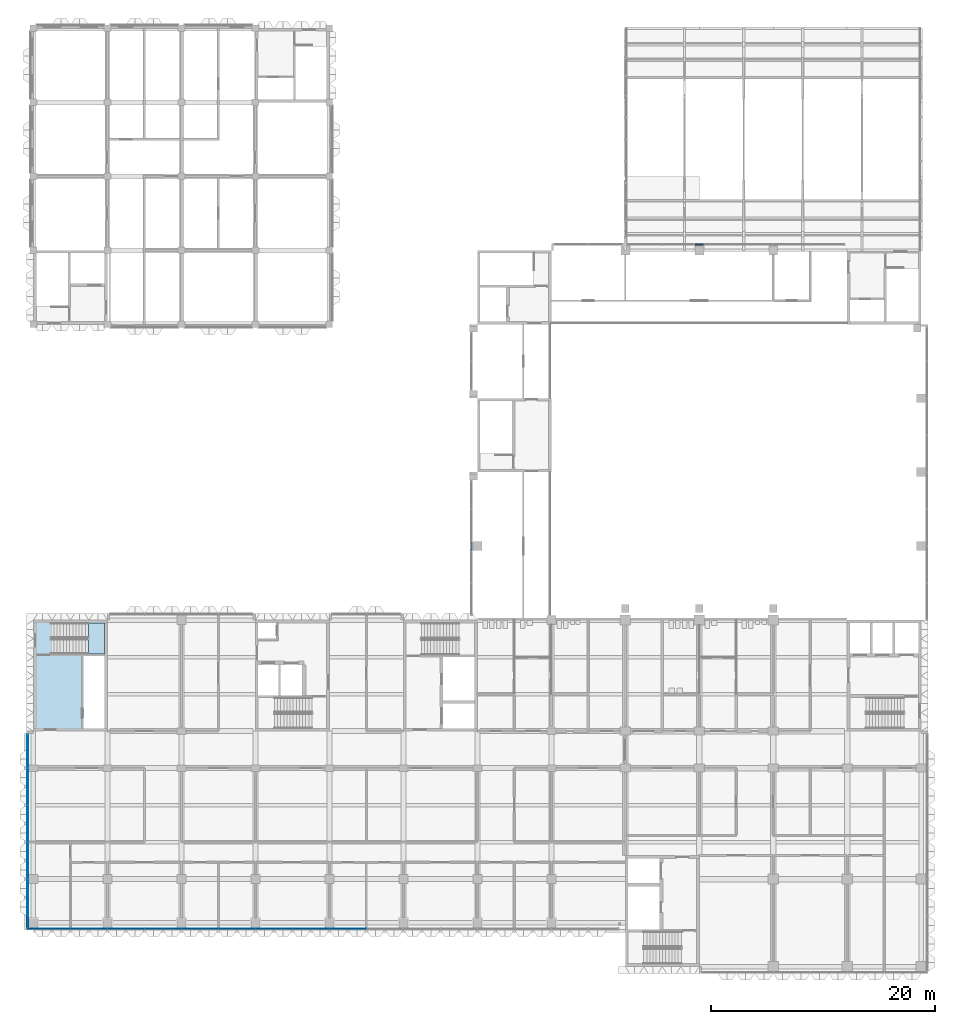
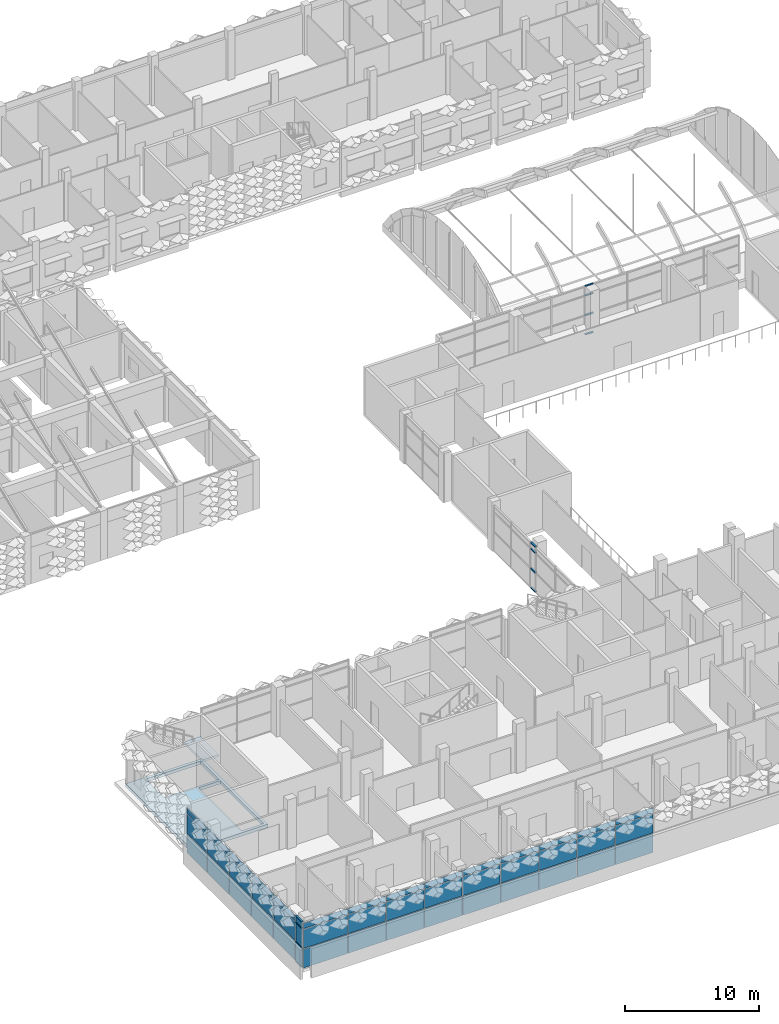
# One storey, part 33 of 102: 45 plates, 12 members, 2 slabs, 5 elements without a shape of their own.
"""IFC4 building model written with IfcOpenShell, lengths in metres."""

from ifc_helpers import new_model, si_unit, direction, frame, origin, origin_2d, place, context, subcontext, project, spatial, polyline, rectangle, outline, extrude, material, layer, layer_set, material_profile, profile_set, type_object, element, aggregate, save


model = new_model("IFC4")

# Units and contexts
model_context = context("Model", 3, precision=1e-05, world=origin(), true_north=direction((0.0, 1.0)))
body_context = subcontext(model_context, "Body", "Model", "MODEL_VIEW")
ifc_project = project(units=[si_unit("LENGTHUNIT", "METRE"), si_unit("AREAUNIT", "SQUARE_METRE"), si_unit("VOLUMEUNIT", "CUBIC_METRE"), si_unit("PLANEANGLEUNIT", "RADIAN"), si_unit("MASSUNIT", "GRAM", prefix="KILO")], contexts=[model_context])

# Site, building, storey
site_placement = place(None, origin())
site = spatial("IfcSite", under=ifc_project, at=site_placement, CompositionType="ELEMENT")
building_placement = place(site_placement, origin())
building = spatial("IfcBuilding", under=site, at=building_placement, Name="Lantern Court Research Institute", CompositionType="ELEMENT")
storey_placement = place(building_placement, frame((0.0, 0.0, 9.89990234375)))
storey = spatial("IfcBuildingStorey", under=building, at=storey_placement, Name="L02", CompositionType="ELEMENT", Elevation=9.89990234375)

# Curtain wall, members
ifc_material_1 = material(Name="Aluminium alloy 6063-T6", Category="aluminium")
curtain_wall_type_1 = type_object("IfcCurtainWallType", Name="Curtain wall 19450 x 4500 x 150 aluminium frame", PredefinedType="NOTDEFINED", material=ifc_material_1)
curtain_wall_1_placement = place(storey_placement, origin())
curtain_wall_1 = element("IfcCurtainWall", 1, at=curtain_wall_1_placement, inside=storey, type_object=curtain_wall_type_1, Name="Curtain wall CW036", PredefinedType="NOTDEFINED")
ifc_material_2 = material(Name="Aluminium alloy 6063-T6", Category="aluminium")
ifc_material_profile_1 = material_profile(ifc_material_2, rectangle(XDim=0.14990234375, YDim=0.10009765625, at=origin_2d()), Name="Transom 150 x 100")
ifc_profile_set_1 = profile_set([ifc_material_profile_1], Name="Aluminium alloy 6063-T6")
member_type_1 = type_object("IfcMemberType", Name="Transom 150 x 100 aluminium", PredefinedType="USERDEFINED", material=ifc_profile_set_1)
member_1_placement = place(storey_placement, frame((59.050048828125, 56.625, 0.050048828125), z_axis=(1.0, 0.0, 0.0), x_axis=(0.0, 1.0, 0.0)))
member_1 = element("IfcMember", 2, at=member_1_placement, type_object=member_type_1, Name="CW036 transom 3.1", ObjectType="TRANSOM", PredefinedType="USERDEFINED", context=body_context, shape_type="SweptSolid", body=[
    extrude(rectangle(XDim=0.14990234375, YDim=0.10009765625, at=origin_2d()), origin(), (0.0, 0.0, 1.0), 0.699951171875),
])
member_2_placement = place(storey_placement, frame((59.050048828125, 56.625, 1.800048828125), z_axis=(1.0, 0.0, 0.0), x_axis=(0.0, 1.0, 0.0)))
member_2 = element("IfcMember", 3, at=member_2_placement, type_object=member_type_1, Name="CW036 transom 3.2", ObjectType="TRANSOM", PredefinedType="USERDEFINED", context=body_context, shape_type="SweptSolid", body=[
    extrude(rectangle(XDim=0.14990234375, YDim=0.10009765625, at=origin_2d()), origin(), (0.0, 0.0, 1.0), 0.699951171875),
])
member_3_placement = place(storey_placement, frame((59.050048828125, 56.625, 3.60009765625), z_axis=(1.0, 0.0, 0.0), x_axis=(0.0, 1.0, 0.0)))
member_3 = element("IfcMember", 4, at=member_3_placement, type_object=member_type_1, Name="CW036 transom 3.3", ObjectType="TRANSOM", PredefinedType="USERDEFINED", context=body_context, shape_type="SweptSolid", body=[
    extrude(rectangle(XDim=0.14990234375, YDim=0.10009765625, at=origin_2d()), origin(), (0.0, 0.0, 1.0), 0.699951171875),
])
member_4_placement = place(storey_placement, frame((59.050048828125, 56.625, 4.4501953125), z_axis=(1.0, 0.0, 0.0), x_axis=(0.0, 1.0, 0.0)))
member_4 = element("IfcMember", 5, at=member_4_placement, type_object=member_type_1, Name="CW036 transom 3.4", ObjectType="TRANSOM", PredefinedType="USERDEFINED", context=body_context, shape_type="SweptSolid", body=[
    extrude(rectangle(XDim=0.14990234375, YDim=0.10009765625, at=origin_2d()), origin(), (0.0, 0.0, 1.0), 0.699951171875),
])
aggregate(curtain_wall_1, [member_1, member_2, member_3, member_4])

ifc_material_3 = material(Name="Aluminium alloy 6063-T6", Category="aluminium")
curtain_wall_type_2 = type_object("IfcCurtainWallType", Name="Curtain wall 12050 x 4200 x 150 aluminium frame", PredefinedType="NOTDEFINED", material=ifc_material_3)
curtain_wall_2_placement = place(storey_placement, origin())
curtain_wall_2 = element("IfcCurtainWall", 6, at=curtain_wall_2_placement, inside=storey, type_object=curtain_wall_type_2, Name="Curtain wall CW037", PredefinedType="NOTDEFINED")
member_5_placement = place(storey_placement, frame((39.074951171875, 29.35009765625, 0.050048828125), z_axis=(0.0, 1.0, 0.0), x_axis=(-1.0, 0.0, 0.0)))
member_5 = element("IfcMember", 7, at=member_5_placement, type_object=member_type_1, Name="CW037 transom 3.1", ObjectType="TRANSOM", PredefinedType="USERDEFINED", context=body_context, shape_type="SweptSolid", body=[
    extrude(rectangle(XDim=0.14990234375, YDim=0.10009765625, at=origin_2d()), origin(), (0.0, 0.0, 1.0), 0.699951171875),
])
member_6_placement = place(storey_placement, frame((39.074951171875, 29.35009765625, 1.800048828125), z_axis=(0.0, 1.0, 0.0), x_axis=(-1.0, 0.0, 0.0)))
member_6 = element("IfcMember", 8, at=member_6_placement, type_object=member_type_1, Name="CW037 transom 3.2", ObjectType="TRANSOM", PredefinedType="USERDEFINED", context=body_context, shape_type="SweptSolid", body=[
    extrude(rectangle(XDim=0.14990234375, YDim=0.10009765625, at=origin_2d()), origin(), (0.0, 0.0, 1.0), 0.699951171875),
])
member_7_placement = place(storey_placement, frame((39.074951171875, 29.35009765625, 3.60009765625), z_axis=(0.0, 1.0, 0.0), x_axis=(-1.0, 0.0, 0.0)))
member_7 = element("IfcMember", 9, at=member_7_placement, type_object=member_type_1, Name="CW037 transom 3.3", ObjectType="TRANSOM", PredefinedType="USERDEFINED", context=body_context, shape_type="SweptSolid", body=[
    extrude(rectangle(XDim=0.14990234375, YDim=0.10009765625, at=origin_2d()), origin(), (0.0, 0.0, 1.0), 0.699951171875),
])
member_8_placement = place(storey_placement, frame((39.074951171875, 29.35009765625, 4.150146484375), z_axis=(0.0, 1.0, 0.0), x_axis=(-1.0, 0.0, 0.0)))
member_8 = element("IfcMember", 10, at=member_8_placement, type_object=member_type_1, Name="CW037 transom 3.4", ObjectType="TRANSOM", PredefinedType="USERDEFINED", context=body_context, shape_type="SweptSolid", body=[
    extrude(rectangle(XDim=0.14990234375, YDim=0.10009765625, at=origin_2d()), origin(), (0.0, 0.0, 1.0), 0.699951171875),
])
aggregate(curtain_wall_2, [member_5, member_6, member_7, member_8])

ifc_material_4 = material(Name="Aluminium alloy 6063-T6", Category="aluminium")
curtain_wall_type_3 = type_object("IfcCurtainWallType", Name="Curtain wall 17350 x 4200 x 150 aluminium frame", PredefinedType="NOTDEFINED", material=ifc_material_4)
curtain_wall_3_placement = place(storey_placement, origin())
curtain_wall_3 = element("IfcCurtainWall", 11, at=curtain_wall_3_placement, inside=storey, type_object=curtain_wall_type_3, Name="Curtain wall CW042", PredefinedType="NOTDEFINED")
ifc_material_5 = material(Name="Aluminium alloy 6063-T6", Category="aluminium")
ifc_material_profile_2 = material_profile(ifc_material_5, rectangle(XDim=0.14990234375, YDim=0.06005859375, at=origin_2d()), Name="Transom 150 x 60")
ifc_profile_set_2 = profile_set([ifc_material_profile_2], Name="Aluminium alloy 6063-T6")
member_type_2 = type_object("IfcMemberType", Name="Transom 150 x 60 aluminium", PredefinedType="USERDEFINED", material=ifc_profile_set_2)
member_9_placement = place(storey_placement, frame((-0.52490234375, -4.2900390625, 0.030029296875), z_axis=(0.0, 1.0, 0.0), x_axis=(-1.0, 0.0, 0.0)))
member_9 = element("IfcMember", 12, at=member_9_placement, type_object=member_type_2, Name="CW042 transom 1.1", ObjectType="TRANSOM", PredefinedType="USERDEFINED", context=body_context, shape_type="SweptSolid", body=[
    extrude(rectangle(XDim=0.14990234375, YDim=0.06005859375, at=origin_2d()), origin(), (0.0, 0.0, 1.0), 0.9599609375),
])
member_10_placement = place(storey_placement, frame((-0.52490234375, -4.2900390625, 1.800048828125), z_axis=(0.0, 1.0, 0.0), x_axis=(-1.0, 0.0, 0.0)))
member_10 = element("IfcMember", 13, at=member_10_placement, type_object=member_type_2, Name="CW042 transom 1.2", ObjectType="TRANSOM", PredefinedType="USERDEFINED", context=body_context, shape_type="SweptSolid", body=[
    extrude(rectangle(XDim=0.14990234375, YDim=0.06005859375, at=origin_2d()), origin(), (0.0, 0.0, 1.0), 0.9599609375),
])
member_11_placement = place(storey_placement, frame((-0.52490234375, -4.2900390625, 3.60009765625), z_axis=(0.0, 1.0, 0.0), x_axis=(-1.0, 0.0, 0.0)))
member_11 = element("IfcMember", 14, at=member_11_placement, type_object=member_type_2, Name="CW042 transom 1.3", ObjectType="TRANSOM", PredefinedType="USERDEFINED", context=body_context, shape_type="SweptSolid", body=[
    extrude(rectangle(XDim=0.14990234375, YDim=0.06005859375, at=origin_2d()), origin(), (0.0, 0.0, 1.0), 0.9599609375),
])
member_12_placement = place(storey_placement, frame((-0.52490234375, -4.2900390625, 4.170166015625), z_axis=(0.0, 1.0, 0.0), x_axis=(-1.0, 0.0, 0.0)))
member_12 = element("IfcMember", 15, at=member_12_placement, type_object=member_type_2, Name="CW042 transom 1.4", ObjectType="TRANSOM", PredefinedType="USERDEFINED", context=body_context, shape_type="SweptSolid", body=[
    extrude(rectangle(XDim=0.14990234375, YDim=0.06005859375, at=origin_2d()), origin(), (0.0, 0.0, 1.0), 0.9599609375),
])

# Curtain wall, plates
ifc_material_6 = material(Name="Aluminium alloy 6063-T6", Category="aluminium")
curtain_wall_type_4 = type_object("IfcCurtainWallType", Name="Curtain wall 52800 x 4200 x 150 aluminium frame", PredefinedType="NOTDEFINED", material=ifc_material_6)
curtain_wall_4_placement = place(storey_placement, origin())
curtain_wall_4 = element("IfcCurtainWall", 16, at=curtain_wall_4_placement, inside=storey, type_object=curtain_wall_type_4, Name="Curtain wall CW041", PredefinedType="NOTDEFINED")
ifc_material_7 = material(Name="Insulated aluminium spandrel panel", Category="aluminium")
ifc_layer_1 = layer(ifc_material_7, 0.10009765625)
ifc_layer_set_1 = layer_set([ifc_layer_1], Name="Insulated aluminium spandrel panel")
plate_type_1 = type_object("IfcPlateType", Name="Insulated spandrel panel 100 mm for south sun", PredefinedType="CURTAIN_PANEL", material=ifc_layer_set_1)
plate_1_placement = place(storey_placement, frame((1.364990234375, -4.425048828125, 0.06005859375), z_axis=(0.0, 0.0, 1.0), x_axis=(-1.0, 0.0, 0.0)))
plate_1 = element("IfcPlate", 17, at=plate_1_placement, type_object=plate_type_1, Name="CW041 spandrel panel 1.1", PredefinedType="CURTAIN_PANEL", context=body_context, shape_type="SweptSolid", body=[
    extrude(rectangle(XDim=3.81005859375, YDim=0.10009765625, at=origin_2d()), origin(), (0.0, 0.0, 1.0), 1.7099609375),
])
plate_2_placement = place(storey_placement, frame((4.949951171875, -4.425048828125, 0.06005859375), z_axis=(0.0, 0.0, 1.0), x_axis=(-1.0, 0.0, 0.0)))
plate_2 = element("IfcPlate", 18, at=plate_2_placement, type_object=plate_type_1, Name="CW041 spandrel panel 2.1", PredefinedType="CURTAIN_PANEL", context=body_context, shape_type="SweptSolid", body=[
    extrude(rectangle(XDim=3.239990234375, YDim=0.10009765625, at=origin_2d()), origin(), (0.0, 0.0, 1.0), 1.7099609375),
])
plate_3_placement = place(storey_placement, frame((8.25, -4.425048828125, 0.06005859375), z_axis=(0.0, 0.0, 1.0), x_axis=(-1.0, 0.0, 0.0)))
plate_3 = element("IfcPlate", 19, at=plate_3_placement, type_object=plate_type_1, Name="CW041 spandrel panel 3.1", PredefinedType="CURTAIN_PANEL", context=body_context, shape_type="SweptSolid", body=[
    extrude(rectangle(XDim=3.239990234375, YDim=0.10009765625, at=origin_2d()), origin(), (0.0, 0.0, 1.0), 1.7099609375),
])
plate_4_placement = place(storey_placement, frame((11.550048828125, -4.425048828125, 0.06005859375), z_axis=(0.0, 0.0, 1.0), x_axis=(-1.0, 0.0, 0.0)))
plate_4 = element("IfcPlate", 20, at=plate_4_placement, type_object=plate_type_1, Name="CW041 spandrel panel 4.1", PredefinedType="CURTAIN_PANEL", context=body_context, shape_type="SweptSolid", body=[
    extrude(rectangle(XDim=3.239990234375, YDim=0.10009765625, at=origin_2d()), origin(), (0.0, 0.0, 1.0), 1.7099609375),
])
plate_5_placement = place(storey_placement, frame((14.85009765625, -4.425048828125, 0.06005859375), z_axis=(0.0, 0.0, 1.0), x_axis=(-1.0, 0.0, 0.0)))
plate_5 = element("IfcPlate", 21, at=plate_5_placement, type_object=plate_type_1, Name="CW041 spandrel panel 5.1", PredefinedType="CURTAIN_PANEL", context=body_context, shape_type="SweptSolid", body=[
    extrude(rectangle(XDim=3.239990234375, YDim=0.10009765625, at=origin_2d()), origin(), (0.0, 0.0, 1.0), 1.7099609375),
])
plate_6_placement = place(storey_placement, frame((18.14990234375, -4.425048828125, 0.06005859375), z_axis=(0.0, 0.0, 1.0), x_axis=(-1.0, 0.0, 0.0)))
plate_6 = element("IfcPlate", 22, at=plate_6_placement, type_object=plate_type_1, Name="CW041 spandrel panel 6.1", PredefinedType="CURTAIN_PANEL", context=body_context, shape_type="SweptSolid", body=[
    extrude(rectangle(XDim=3.239990234375, YDim=0.10009765625, at=origin_2d()), origin(), (0.0, 0.0, 1.0), 1.7099609375),
])
plate_7_placement = place(storey_placement, frame((21.449951171875, -4.425048828125, 0.06005859375), z_axis=(0.0, 0.0, 1.0), x_axis=(-1.0, 0.0, 0.0)))
plate_7 = element("IfcPlate", 23, at=plate_7_placement, type_object=plate_type_1, Name="CW041 spandrel panel 7.1", PredefinedType="CURTAIN_PANEL", context=body_context, shape_type="SweptSolid", body=[
    extrude(rectangle(XDim=3.239990234375, YDim=0.10009765625, at=origin_2d()), origin(), (0.0, 0.0, 1.0), 1.7099609375),
])
plate_8_placement = place(storey_placement, frame((24.75, -4.425048828125, 0.06005859375), z_axis=(0.0, 0.0, 1.0), x_axis=(-1.0, 0.0, 0.0)))
plate_8 = element("IfcPlate", 24, at=plate_8_placement, type_object=plate_type_1, Name="CW041 spandrel panel 8.1", PredefinedType="CURTAIN_PANEL", context=body_context, shape_type="SweptSolid", body=[
    extrude(rectangle(XDim=3.239990234375, YDim=0.10009765625, at=origin_2d()), origin(), (0.0, 0.0, 1.0), 1.7099609375),
])
plate_9_placement = place(storey_placement, frame((28.050048828125, -4.425048828125, 0.06005859375), z_axis=(0.0, 0.0, 1.0), x_axis=(-1.0, 0.0, 0.0)))
plate_9 = element("IfcPlate", 25, at=plate_9_placement, type_object=plate_type_1, Name="CW041 spandrel panel 9.1", PredefinedType="CURTAIN_PANEL", context=body_context, shape_type="SweptSolid", body=[
    extrude(rectangle(XDim=3.239990234375, YDim=0.10009765625, at=origin_2d()), origin(), (0.0, 0.0, 1.0), 1.7099609375),
])

# Plate
ifc_material_8 = material(Name="Insulated aluminium spandrel panel", Category="aluminium")
ifc_layer_2 = layer(ifc_material_8, 0.080078125)
ifc_layer_set_2 = layer_set([ifc_layer_2], Name="Insulated aluminium spandrel panel")
plate_type_2 = type_object("IfcPlateType", Name="Insulated spandrel panel 80 mm", PredefinedType="CURTAIN_PANEL", material=ifc_layer_set_2)
plate_10_placement = place(storey_placement, frame((-0.52490234375, -3.81005859375, 0.06005859375), z_axis=(0.0, 0.0, 1.0), x_axis=(0.0, 1.0, 0.0)))
plate_10 = element("IfcPlate", 26, at=plate_10_placement, type_object=plate_type_2, Name="CW042 spandrel panel 1.1", PredefinedType="CURTAIN_PANEL", context=body_context, shape_type="SweptSolid", body=[
    extrude(rectangle(XDim=0.9599609375, YDim=0.080078125, at=origin_2d()), origin(), (0.0, 0.0, 1.0), 1.7099609375),
])

plate_11_placement = place(storey_placement, frame((-0.52490234375, -1.64990234375, 0.06005859375), z_axis=(0.0, 0.0, 1.0), x_axis=(0.0, 1.0, 0.0)))
plate_11 = element("IfcPlate", 27, at=plate_11_placement, type_object=plate_type_2, Name="CW042 spandrel panel 2.1", PredefinedType="CURTAIN_PANEL", context=body_context, shape_type="SweptSolid", body=[
    extrude(rectangle(XDim=3.239990234375, YDim=0.080078125, at=origin_2d()), origin(), (0.0, 0.0, 1.0), 1.7099609375),
])

plate_12_placement = place(storey_placement, frame((-0.52490234375, 1.64990234375, 0.06005859375), z_axis=(0.0, 0.0, 1.0), x_axis=(0.0, 1.0, 0.0)))
plate_12 = element("IfcPlate", 28, at=plate_12_placement, type_object=plate_type_2, Name="CW042 spandrel panel 3.1", PredefinedType="CURTAIN_PANEL", context=body_context, shape_type="SweptSolid", body=[
    extrude(rectangle(XDim=3.239990234375, YDim=0.080078125, at=origin_2d()), origin(), (0.0, 0.0, 1.0), 1.7099609375),
])

plate_13_placement = place(storey_placement, frame((-0.52490234375, 4.949951171875, 0.06005859375), z_axis=(0.0, 0.0, 1.0), x_axis=(0.0, 1.0, 0.0)))
plate_13 = element("IfcPlate", 29, at=plate_13_placement, type_object=plate_type_2, Name="CW042 spandrel panel 4.1", PredefinedType="CURTAIN_PANEL", context=body_context, shape_type="SweptSolid", body=[
    extrude(rectangle(XDim=3.239990234375, YDim=0.080078125, at=origin_2d()), origin(), (0.0, 0.0, 1.0), 1.7099609375),
])

plate_14_placement = place(storey_placement, frame((-0.52490234375, 8.25, 0.06005859375), z_axis=(0.0, 0.0, 1.0), x_axis=(0.0, 1.0, 0.0)))
plate_14 = element("IfcPlate", 30, at=plate_14_placement, type_object=plate_type_2, Name="CW042 spandrel panel 5.1", PredefinedType="CURTAIN_PANEL", context=body_context, shape_type="SweptSolid", body=[
    extrude(rectangle(XDim=3.239990234375, YDim=0.080078125, at=origin_2d()), origin(), (0.0, 0.0, 1.0), 1.7099609375),
])

plate_15_placement = place(storey_placement, frame((-0.52490234375, 11.43505859375, 0.06005859375), z_axis=(0.0, 0.0, 1.0), x_axis=(0.0, 1.0, 0.0)))
plate_15 = element("IfcPlate", 31, at=plate_15_placement, type_object=plate_type_2, Name="CW042 spandrel panel 6.1", PredefinedType="CURTAIN_PANEL", context=body_context, shape_type="SweptSolid", body=[
    extrude(rectangle(XDim=3.010009765625, YDim=0.080078125, at=origin_2d()), origin(), (0.0, 0.0, 1.0), 1.7099609375),
])

ifc_material_9 = material(Name="Laminated low-emissivity glass", Category="glass")
ifc_layer_3 = layer(ifc_material_9, 0.031982421875)
ifc_layer_set_3 = layer_set([ifc_layer_3], Name="Laminated low-emissivity glass")
plate_type_3 = type_object("IfcPlateType", Name="Laminated low-emissivity unit 32 mm", PredefinedType="CURTAIN_PANEL", material=ifc_layer_set_3)
plate_16_placement = place(storey_placement, frame((-0.52490234375, -3.81005859375, 1.830078125), z_axis=(0.0, 0.0, 1.0), x_axis=(0.0, 1.0, 0.0)))
plate_16 = element("IfcPlate", 32, at=plate_16_placement, type_object=plate_type_3, Name="CW042 glazed panel 1.2", PredefinedType="CURTAIN_PANEL", context=body_context, shape_type="SweptSolid", body=[
    extrude(rectangle(XDim=0.9599609375, YDim=0.031982421875, at=origin_2d()), origin(), (0.0, 0.0, 1.0), 1.739990234375),
])

plate_17_placement = place(storey_placement, frame((-0.52490234375, -3.81005859375, 3.6298828125), z_axis=(0.0, 0.0, 1.0), x_axis=(0.0, 1.0, 0.0)))
plate_17 = element("IfcPlate", 33, at=plate_17_placement, type_object=plate_type_3, Name="CW042 glazed panel 1.3", PredefinedType="CURTAIN_PANEL", context=body_context, shape_type="SweptSolid", body=[
    extrude(rectangle(XDim=0.9599609375, YDim=0.031982421875, at=origin_2d()), origin(), (0.0, 0.0, 1.0), 0.510009765625),
])

plate_18_placement = place(storey_placement, frame((-0.52490234375, -1.64990234375, 1.830078125), z_axis=(0.0, 0.0, 1.0), x_axis=(0.0, 1.0, 0.0)))
plate_18 = element("IfcPlate", 34, at=plate_18_placement, type_object=plate_type_3, Name="CW042 glazed panel 2.2", PredefinedType="CURTAIN_PANEL", context=body_context, shape_type="SweptSolid", body=[
    extrude(rectangle(XDim=3.239990234375, YDim=0.031982421875, at=origin_2d()), origin(), (0.0, 0.0, 1.0), 1.739990234375),
])

plate_19_placement = place(storey_placement, frame((-0.52490234375, -1.64990234375, 3.6298828125), z_axis=(0.0, 0.0, 1.0), x_axis=(0.0, 1.0, 0.0)))
plate_19 = element("IfcPlate", 35, at=plate_19_placement, type_object=plate_type_3, Name="CW042 glazed panel 2.3", PredefinedType="CURTAIN_PANEL", context=body_context, shape_type="SweptSolid", body=[
    extrude(rectangle(XDim=3.239990234375, YDim=0.031982421875, at=origin_2d()), origin(), (0.0, 0.0, 1.0), 0.510009765625),
])

plate_20_placement = place(storey_placement, frame((-0.52490234375, 1.64990234375, 1.830078125), z_axis=(0.0, 0.0, 1.0), x_axis=(0.0, 1.0, 0.0)))
plate_20 = element("IfcPlate", 36, at=plate_20_placement, type_object=plate_type_3, Name="CW042 glazed panel 3.2", PredefinedType="CURTAIN_PANEL", context=body_context, shape_type="SweptSolid", body=[
    extrude(rectangle(XDim=3.239990234375, YDim=0.031982421875, at=origin_2d()), origin(), (0.0, 0.0, 1.0), 1.739990234375),
])

plate_21_placement = place(storey_placement, frame((-0.52490234375, 1.64990234375, 3.6298828125), z_axis=(0.0, 0.0, 1.0), x_axis=(0.0, 1.0, 0.0)))
plate_21 = element("IfcPlate", 37, at=plate_21_placement, type_object=plate_type_3, Name="CW042 glazed panel 3.3", PredefinedType="CURTAIN_PANEL", context=body_context, shape_type="SweptSolid", body=[
    extrude(rectangle(XDim=3.239990234375, YDim=0.031982421875, at=origin_2d()), origin(), (0.0, 0.0, 1.0), 0.510009765625),
])

plate_22_placement = place(storey_placement, frame((-0.52490234375, 4.949951171875, 1.830078125), z_axis=(0.0, 0.0, 1.0), x_axis=(0.0, 1.0, 0.0)))
plate_22 = element("IfcPlate", 38, at=plate_22_placement, type_object=plate_type_3, Name="CW042 glazed panel 4.2", PredefinedType="CURTAIN_PANEL", context=body_context, shape_type="SweptSolid", body=[
    extrude(rectangle(XDim=3.239990234375, YDim=0.031982421875, at=origin_2d()), origin(), (0.0, 0.0, 1.0), 1.739990234375),
])

plate_23_placement = place(storey_placement, frame((-0.52490234375, 4.949951171875, 3.6298828125), z_axis=(0.0, 0.0, 1.0), x_axis=(0.0, 1.0, 0.0)))
plate_23 = element("IfcPlate", 39, at=plate_23_placement, type_object=plate_type_3, Name="CW042 glazed panel 4.3", PredefinedType="CURTAIN_PANEL", context=body_context, shape_type="SweptSolid", body=[
    extrude(rectangle(XDim=3.239990234375, YDim=0.031982421875, at=origin_2d()), origin(), (0.0, 0.0, 1.0), 0.510009765625),
])

plate_24_placement = place(storey_placement, frame((-0.52490234375, 8.25, 1.830078125), z_axis=(0.0, 0.0, 1.0), x_axis=(0.0, 1.0, 0.0)))
plate_24 = element("IfcPlate", 40, at=plate_24_placement, type_object=plate_type_3, Name="CW042 glazed panel 5.2", PredefinedType="CURTAIN_PANEL", context=body_context, shape_type="SweptSolid", body=[
    extrude(rectangle(XDim=3.239990234375, YDim=0.031982421875, at=origin_2d()), origin(), (0.0, 0.0, 1.0), 1.739990234375),
])

plate_25_placement = place(storey_placement, frame((-0.52490234375, 8.25, 3.6298828125), z_axis=(0.0, 0.0, 1.0), x_axis=(0.0, 1.0, 0.0)))
plate_25 = element("IfcPlate", 41, at=plate_25_placement, type_object=plate_type_3, Name="CW042 glazed panel 5.3", PredefinedType="CURTAIN_PANEL", context=body_context, shape_type="SweptSolid", body=[
    extrude(rectangle(XDim=3.239990234375, YDim=0.031982421875, at=origin_2d()), origin(), (0.0, 0.0, 1.0), 0.510009765625),
])

plate_26_placement = place(storey_placement, frame((-0.52490234375, 11.43505859375, 1.830078125), z_axis=(0.0, 0.0, 1.0), x_axis=(0.0, 1.0, 0.0)))
plate_26 = element("IfcPlate", 42, at=plate_26_placement, type_object=plate_type_3, Name="CW042 glazed panel 6.2", PredefinedType="CURTAIN_PANEL", context=body_context, shape_type="SweptSolid", body=[
    extrude(rectangle(XDim=3.010009765625, YDim=0.031982421875, at=origin_2d()), origin(), (0.0, 0.0, 1.0), 1.739990234375),
])

plate_27_placement = place(storey_placement, frame((-0.52490234375, 11.43505859375, 3.6298828125), z_axis=(0.0, 0.0, 1.0), x_axis=(0.0, 1.0, 0.0)))
plate_27 = element("IfcPlate", 43, at=plate_27_placement, type_object=plate_type_3, Name="CW042 glazed panel 6.3", PredefinedType="CURTAIN_PANEL", context=body_context, shape_type="SweptSolid", body=[
    extrude(rectangle(XDim=3.010009765625, YDim=0.031982421875, at=origin_2d()), origin(), (0.0, 0.0, 1.0), 0.510009765625),
])

aggregate(curtain_wall_3, [member_9, member_10, member_11, member_12, plate_10, plate_16, plate_17, plate_11, plate_18, plate_19, plate_12, plate_20, plate_21, plate_13, plate_22, plate_23, plate_14, plate_24, plate_25, plate_15, plate_26, plate_27])

# Slab
ifc_material_10 = material(Name="Concrete C35/45", Category="concrete")
ifc_layer_4 = layer(ifc_material_10, 0.300048828125)
ifc_layer_set_4 = layer_set([ifc_layer_4], Name="Concrete C35/45")
slab_type_1 = type_object("IfcSlabType", Name="RC core floor slab 300", PredefinedType="FLOOR", material=ifc_layer_set_4)
slab_1_placement = place(storey_placement, frame((0.0, 0.0, -0.2998046875)))
element("IfcSlab", 44, at=slab_1_placement, inside=storey, type_object=slab_type_1, Name="Floor of core BC-W", PredefinedType="FLOOR", context=body_context, shape_type="SweptSolid", body=[
    extrude(outline(polyline([(0.0, 13.199951171875), (6.60009765625, 13.199951171875), (6.60009765625, 23.10009765625), (0.0, 23.10009765625), (0.0, 13.199951171875)]), holes=[polyline([(1.60009765625, 20.10009765625), (6.35009765625, 20.10009765625), (6.35009765625, 22.85009765625), (1.60009765625, 22.85009765625), (1.60009765625, 20.10009765625)]), polyline([(4.449951171875, 13.449951171875), (4.449951171875, 19.89990234375), (6.35009765625, 19.89990234375), (6.35009765625, 13.449951171875), (4.449951171875, 13.449951171875)])]), origin(), (0.0, 0.0, 1.0), 0.2998046875),
])

# Stair, slab
ifc_material_11 = material(Name="Concrete C40/50", Category="concrete")
stair_type = type_object("IfcStairType", Name="RC half-turn stair 1300 wide, 4500 rise, 6100 shaft", PredefinedType="HALF_TURN_STAIR", material=ifc_material_11)
stair_placement = place(storey_placement, origin())
stair = element("IfcStair", 45, at=stair_placement, inside=storey, type_object=stair_type, Name="L02 stair ST-B1", PredefinedType="HALF_TURN_STAIR")
ifc_material_12 = material(Name="Concrete C40/50", Category="concrete")
ifc_layer_5 = layer(ifc_material_12, 0.199951171875)
ifc_layer_set_5 = layer_set([ifc_layer_5], Name="Concrete C40/50")
slab_type_2 = type_object("IfcSlabType", Name="RC stair landing 200", PredefinedType="LANDING", material=ifc_layer_set_5)
slab_2_placement = place(storey_placement, frame((0.0, 0.0, 2.050048828125)))
slab_2 = element("IfcSlab", 46, at=slab_2_placement, type_object=slab_type_2, Name="ST-B1 landing 1", PredefinedType="LANDING", context=body_context, shape_type="SweptSolid", body=[
    extrude(outline(polyline([(4.909912109375, 20.10009765625), (6.35009765625, 20.10009765625), (6.35009765625, 22.85009765625), (4.909912109375, 22.85009765625), (4.909912109375, 20.10009765625)])), origin(), (0.0, 0.0, 1.0), 0.199951171875),
])
aggregate(stair, [slab_2])

# Plate
ifc_material_13 = material(Name="Laminated low-emissivity glass", Category="glass")
ifc_layer_6 = layer(ifc_material_13, 0.035888671875)
ifc_layer_set_6 = layer_set([ifc_layer_6], Name="Laminated low-emissivity glass")
plate_type_4 = type_object("IfcPlateType", Name="Solar control laminated unit 36 mm", PredefinedType="CURTAIN_PANEL", material=ifc_layer_set_6)
plate_28_placement = place(storey_placement, frame((1.364990234375, -4.425048828125, 1.830078125), z_axis=(0.0, 0.0, 1.0), x_axis=(-1.0, 0.0, 0.0)))
plate_28 = element("IfcPlate", 47, at=plate_28_placement, type_object=plate_type_4, Name="CW041 glazed panel 1.2", PredefinedType="CURTAIN_PANEL", context=body_context, shape_type="SweptSolid", body=[
    extrude(rectangle(XDim=3.81005859375, YDim=0.035888671875, at=origin_2d()), origin(), (0.0, 0.0, 1.0), 1.739990234375),
])

plate_29_placement = place(storey_placement, frame((1.364990234375, -4.425048828125, 3.6298828125), z_axis=(0.0, 0.0, 1.0), x_axis=(-1.0, 0.0, 0.0)))
plate_29 = element("IfcPlate", 48, at=plate_29_placement, type_object=plate_type_4, Name="CW041 glazed panel 1.3", PredefinedType="CURTAIN_PANEL", context=body_context, shape_type="SweptSolid", body=[
    extrude(rectangle(XDim=3.81005859375, YDim=0.035888671875, at=origin_2d()), origin(), (0.0, 0.0, 1.0), 0.510009765625),
])

plate_30_placement = place(storey_placement, frame((4.949951171875, -4.425048828125, 1.830078125), z_axis=(0.0, 0.0, 1.0), x_axis=(-1.0, 0.0, 0.0)))
plate_30 = element("IfcPlate", 49, at=plate_30_placement, type_object=plate_type_4, Name="CW041 glazed panel 2.2", PredefinedType="CURTAIN_PANEL", context=body_context, shape_type="SweptSolid", body=[
    extrude(rectangle(XDim=3.239990234375, YDim=0.035888671875, at=origin_2d()), origin(), (0.0, 0.0, 1.0), 1.739990234375),
])

plate_31_placement = place(storey_placement, frame((4.949951171875, -4.425048828125, 3.6298828125), z_axis=(0.0, 0.0, 1.0), x_axis=(-1.0, 0.0, 0.0)))
plate_31 = element("IfcPlate", 50, at=plate_31_placement, type_object=plate_type_4, Name="CW041 glazed panel 2.3", PredefinedType="CURTAIN_PANEL", context=body_context, shape_type="SweptSolid", body=[
    extrude(rectangle(XDim=3.239990234375, YDim=0.035888671875, at=origin_2d()), origin(), (0.0, 0.0, 1.0), 0.510009765625),
])

plate_32_placement = place(storey_placement, frame((8.25, -4.425048828125, 1.830078125), z_axis=(0.0, 0.0, 1.0), x_axis=(-1.0, 0.0, 0.0)))
plate_32 = element("IfcPlate", 51, at=plate_32_placement, type_object=plate_type_4, Name="CW041 glazed panel 3.2", PredefinedType="CURTAIN_PANEL", context=body_context, shape_type="SweptSolid", body=[
    extrude(rectangle(XDim=3.239990234375, YDim=0.035888671875, at=origin_2d()), origin(), (0.0, 0.0, 1.0), 1.739990234375),
])

plate_33_placement = place(storey_placement, frame((8.25, -4.425048828125, 3.6298828125), z_axis=(0.0, 0.0, 1.0), x_axis=(-1.0, 0.0, 0.0)))
plate_33 = element("IfcPlate", 52, at=plate_33_placement, type_object=plate_type_4, Name="CW041 glazed panel 3.3", PredefinedType="CURTAIN_PANEL", context=body_context, shape_type="SweptSolid", body=[
    extrude(rectangle(XDim=3.239990234375, YDim=0.035888671875, at=origin_2d()), origin(), (0.0, 0.0, 1.0), 0.510009765625),
])

plate_34_placement = place(storey_placement, frame((11.550048828125, -4.425048828125, 1.830078125), z_axis=(0.0, 0.0, 1.0), x_axis=(-1.0, 0.0, 0.0)))
plate_34 = element("IfcPlate", 53, at=plate_34_placement, type_object=plate_type_4, Name="CW041 glazed panel 4.2", PredefinedType="CURTAIN_PANEL", context=body_context, shape_type="SweptSolid", body=[
    extrude(rectangle(XDim=3.239990234375, YDim=0.035888671875, at=origin_2d()), origin(), (0.0, 0.0, 1.0), 1.739990234375),
])

plate_35_placement = place(storey_placement, frame((11.550048828125, -4.425048828125, 3.6298828125), z_axis=(0.0, 0.0, 1.0), x_axis=(-1.0, 0.0, 0.0)))
plate_35 = element("IfcPlate", 54, at=plate_35_placement, type_object=plate_type_4, Name="CW041 glazed panel 4.3", PredefinedType="CURTAIN_PANEL", context=body_context, shape_type="SweptSolid", body=[
    extrude(rectangle(XDim=3.239990234375, YDim=0.035888671875, at=origin_2d()), origin(), (0.0, 0.0, 1.0), 0.510009765625),
])

plate_36_placement = place(storey_placement, frame((14.85009765625, -4.425048828125, 1.830078125), z_axis=(0.0, 0.0, 1.0), x_axis=(-1.0, 0.0, 0.0)))
plate_36 = element("IfcPlate", 55, at=plate_36_placement, type_object=plate_type_4, Name="CW041 glazed panel 5.2", PredefinedType="CURTAIN_PANEL", context=body_context, shape_type="SweptSolid", body=[
    extrude(rectangle(XDim=3.239990234375, YDim=0.035888671875, at=origin_2d()), origin(), (0.0, 0.0, 1.0), 1.739990234375),
])

plate_37_placement = place(storey_placement, frame((14.85009765625, -4.425048828125, 3.6298828125), z_axis=(0.0, 0.0, 1.0), x_axis=(-1.0, 0.0, 0.0)))
plate_37 = element("IfcPlate", 56, at=plate_37_placement, type_object=plate_type_4, Name="CW041 glazed panel 5.3", PredefinedType="CURTAIN_PANEL", context=body_context, shape_type="SweptSolid", body=[
    extrude(rectangle(XDim=3.239990234375, YDim=0.035888671875, at=origin_2d()), origin(), (0.0, 0.0, 1.0), 0.510009765625),
])

plate_38_placement = place(storey_placement, frame((18.14990234375, -4.425048828125, 1.830078125), z_axis=(0.0, 0.0, 1.0), x_axis=(-1.0, 0.0, 0.0)))
plate_38 = element("IfcPlate", 57, at=plate_38_placement, type_object=plate_type_4, Name="CW041 glazed panel 6.2", PredefinedType="CURTAIN_PANEL", context=body_context, shape_type="SweptSolid", body=[
    extrude(rectangle(XDim=3.239990234375, YDim=0.035888671875, at=origin_2d()), origin(), (0.0, 0.0, 1.0), 1.739990234375),
])

plate_39_placement = place(storey_placement, frame((18.14990234375, -4.425048828125, 3.6298828125), z_axis=(0.0, 0.0, 1.0), x_axis=(-1.0, 0.0, 0.0)))
plate_39 = element("IfcPlate", 58, at=plate_39_placement, type_object=plate_type_4, Name="CW041 glazed panel 6.3", PredefinedType="CURTAIN_PANEL", context=body_context, shape_type="SweptSolid", body=[
    extrude(rectangle(XDim=3.239990234375, YDim=0.035888671875, at=origin_2d()), origin(), (0.0, 0.0, 1.0), 0.510009765625),
])

plate_40_placement = place(storey_placement, frame((21.449951171875, -4.425048828125, 1.830078125), z_axis=(0.0, 0.0, 1.0), x_axis=(-1.0, 0.0, 0.0)))
plate_40 = element("IfcPlate", 59, at=plate_40_placement, type_object=plate_type_4, Name="CW041 glazed panel 7.2", PredefinedType="CURTAIN_PANEL", context=body_context, shape_type="SweptSolid", body=[
    extrude(rectangle(XDim=3.239990234375, YDim=0.035888671875, at=origin_2d()), origin(), (0.0, 0.0, 1.0), 1.739990234375),
])

plate_41_placement = place(storey_placement, frame((21.449951171875, -4.425048828125, 3.6298828125), z_axis=(0.0, 0.0, 1.0), x_axis=(-1.0, 0.0, 0.0)))
plate_41 = element("IfcPlate", 60, at=plate_41_placement, type_object=plate_type_4, Name="CW041 glazed panel 7.3", PredefinedType="CURTAIN_PANEL", context=body_context, shape_type="SweptSolid", body=[
    extrude(rectangle(XDim=3.239990234375, YDim=0.035888671875, at=origin_2d()), origin(), (0.0, 0.0, 1.0), 0.510009765625),
])

plate_42_placement = place(storey_placement, frame((24.75, -4.425048828125, 1.830078125), z_axis=(0.0, 0.0, 1.0), x_axis=(-1.0, 0.0, 0.0)))
plate_42 = element("IfcPlate", 61, at=plate_42_placement, type_object=plate_type_4, Name="CW041 glazed panel 8.2", PredefinedType="CURTAIN_PANEL", context=body_context, shape_type="SweptSolid", body=[
    extrude(rectangle(XDim=3.239990234375, YDim=0.035888671875, at=origin_2d()), origin(), (0.0, 0.0, 1.0), 1.739990234375),
])

plate_43_placement = place(storey_placement, frame((24.75, -4.425048828125, 3.6298828125), z_axis=(0.0, 0.0, 1.0), x_axis=(-1.0, 0.0, 0.0)))
plate_43 = element("IfcPlate", 62, at=plate_43_placement, type_object=plate_type_4, Name="CW041 glazed panel 8.3", PredefinedType="CURTAIN_PANEL", context=body_context, shape_type="SweptSolid", body=[
    extrude(rectangle(XDim=3.239990234375, YDim=0.035888671875, at=origin_2d()), origin(), (0.0, 0.0, 1.0), 0.510009765625),
])

plate_44_placement = place(storey_placement, frame((28.050048828125, -4.425048828125, 1.830078125), z_axis=(0.0, 0.0, 1.0), x_axis=(-1.0, 0.0, 0.0)))
plate_44 = element("IfcPlate", 63, at=plate_44_placement, type_object=plate_type_4, Name="CW041 glazed panel 9.2", PredefinedType="CURTAIN_PANEL", context=body_context, shape_type="SweptSolid", body=[
    extrude(rectangle(XDim=3.239990234375, YDim=0.035888671875, at=origin_2d()), origin(), (0.0, 0.0, 1.0), 1.739990234375),
])

plate_45_placement = place(storey_placement, frame((28.050048828125, -4.425048828125, 3.6298828125), z_axis=(0.0, 0.0, 1.0), x_axis=(-1.0, 0.0, 0.0)))
plate_45 = element("IfcPlate", 64, at=plate_45_placement, type_object=plate_type_4, Name="CW041 glazed panel 9.3", PredefinedType="CURTAIN_PANEL", context=body_context, shape_type="SweptSolid", body=[
    extrude(rectangle(XDim=3.239990234375, YDim=0.035888671875, at=origin_2d()), origin(), (0.0, 0.0, 1.0), 0.510009765625),
])

aggregate(curtain_wall_4, [plate_1, plate_28, plate_29, plate_2, plate_30, plate_31, plate_3, plate_32, plate_33, plate_4, plate_34, plate_35, plate_5, plate_36, plate_37, plate_6, plate_38, plate_39, plate_7, plate_40, plate_41, plate_8, plate_42, plate_43, plate_9, plate_44, plate_45])

save(model, "model.ifc")
